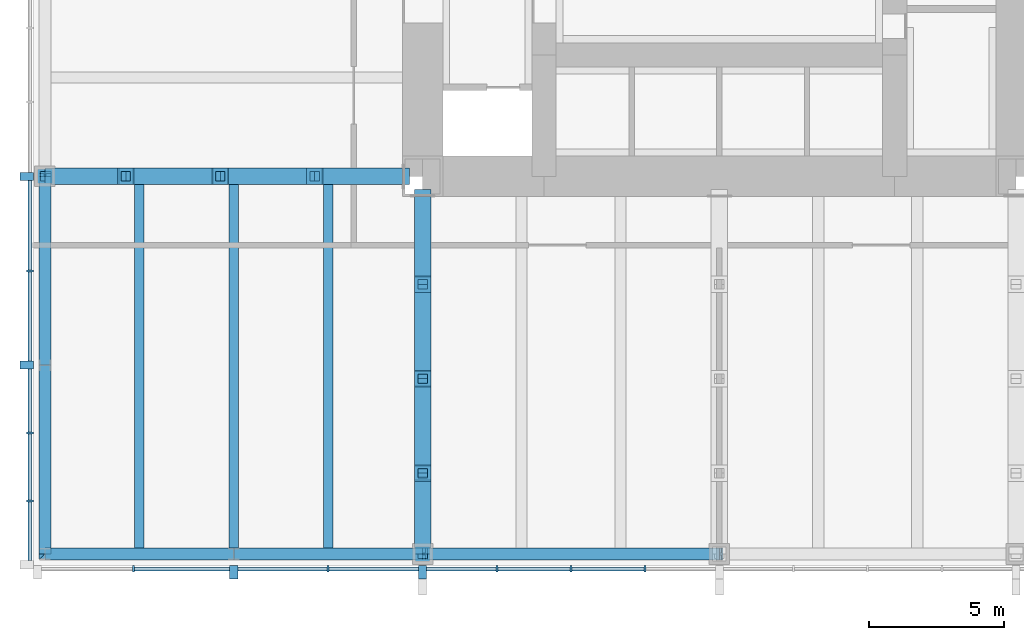
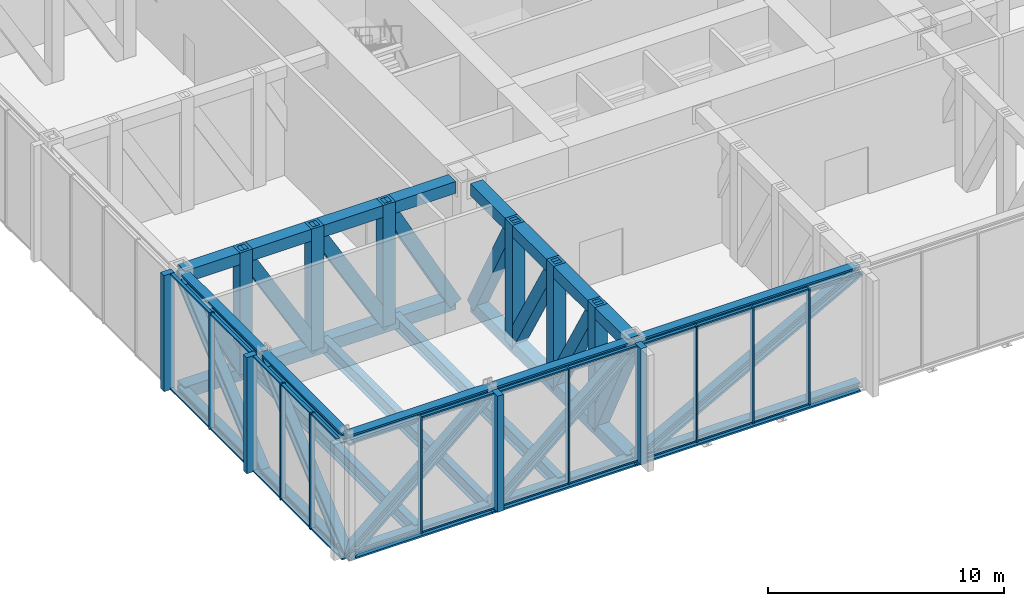
# One storey, part 2 of 13: 53 members, 23 beams, 2 elements without a shape of their own.
"""IFC4 building model written with IfcOpenShell, lengths in metres."""

from ifc_helpers import new_model, si_unit, direction, frame, origin, origin_2d, place, context, subcontext, project, spatial, rectangle, hollow_rectangle, i_section, extrude, material, material_profile, profile_set, type_object, element, aggregate, save


model = new_model("IFC4")

# Units and contexts
model_context = context("Model", 3, precision=1e-05, world=origin(), true_north=direction((0.0, 1.0)))
body_context = subcontext(model_context, "Body", "Model", "MODEL_VIEW")
ifc_project = project(units=[si_unit("LENGTHUNIT", "METRE"), si_unit("AREAUNIT", "SQUARE_METRE"), si_unit("VOLUMEUNIT", "CUBIC_METRE"), si_unit("PLANEANGLEUNIT", "RADIAN"), si_unit("MASSUNIT", "GRAM", prefix="KILO")], contexts=[model_context])

# Site, building, storey
site_placement = place(None, origin())
site = spatial("IfcSite", under=ifc_project, at=site_placement, CompositionType="ELEMENT")
building_placement = place(site_placement, origin())
building = spatial("IfcBuilding", under=site, at=building_placement, Name="Trevanion Tower", CompositionType="ELEMENT")
storey_placement = place(building_placement, frame((0.0, 0.0, 89.800048828125)))
storey = spatial("IfcBuildingStorey", under=building, at=storey_placement, Name="L21", CompositionType="ELEMENT", Elevation=89.800048828125)

# Beams
ifc_material_1 = material(Name="Steel ASTM A992 Grade 50", Category="steel")
ifc_material_profile_1 = material_profile(ifc_material_1, i_section(OverallWidth=0.355712890625, OverallDepth=0.696044921875, WebThickness=0.015380859375, FlangeThickness=0.024658203125, at=origin_2d()), Name="W27X146")
ifc_profile_set_1 = profile_set([ifc_material_profile_1], Name="Steel ASTM A992 Grade 50")
beam_type_1 = type_object("IfcBeamType", Name="B6 W27X146", PredefinedType="BEAM", material=ifc_profile_set_1)
for number, where, z_axis, x_axis, name in (
    (1, (-14.5, -11.0, -0.5380859375), (0.0, -1.0, 0.0), (1.0, 0.0, 0.0), "B6 L21"),
    (2, (-18.0, -11.0, -0.5380859375), (0.0, -1.0, 0.0), (1.0, 0.0, 0.0), "B6 L21"),
    (3, (-21.5, -11.0, -0.5380859375), (0.0, -1.0, 0.0), (1.0, 0.0, 0.0), "B6 L21"),
):
    element("IfcBeam", number, at=place(storey_placement, frame(where, z_axis=z_axis, x_axis=x_axis)), inside=storey, type_object=beam_type_1, Name=name, PredefinedType="BEAM", context=body_context, shape_type="SweptSolid", body=[
        extrude(i_section(OverallWidth=0.355712890625, OverallDepth=0.696044921875, WebThickness=0.015380859375, FlangeThickness=0.024658203125, at=origin_2d()), origin(), (0.0, 0.0, 1.0), 14.0),
    ])
ifc_material_2 = material(Name="Steel ASTM A992 Grade 50", Category="steel")
ifc_material_profile_2 = material_profile(ifc_material_2, i_section(OverallWidth=0.431884765625, OverallDepth=0.497802734375, WebThickness=0.0556640625, FlangeThickness=0.0888671875, at=origin_2d()), Name="W14X500")
ifc_profile_set_2 = profile_set([ifc_material_profile_2], Name="Steel ASTM A992 Grade 50")
beam_type_2 = type_object("IfcBeamType", Name="BT1-CH W14X500", PredefinedType="BEAM", material=ifc_profile_set_2)
for number, where, z_axis, x_axis, name in (
    (4, (-25.0, -11.0, -0.494873046875), (0.0, -1.0, 0.0), (1.0, 0.0, 0.0), "BT1 belt truss chord"),
    (5, (-25.0, -11.0, 5.505126953125), (0.0, -1.0, 0.0), (1.0, 0.0, 0.0), "BT1 belt truss chord"),
    (6, (-25.0, -18.0, -0.494873046875), (0.0, -1.0, 0.0), (1.0, 0.0, 0.0), "BT1 belt truss chord"),
    (7, (-25.0, -18.0, 5.505126953125), (0.0, -1.0, 0.0), (1.0, 0.0, 0.0), "BT1 belt truss chord"),
    (8, (-25.0, -25.0, -0.494873046875), (1.0, 0.0, 0.0), (0.0, 1.0, 0.0), "BT1 belt truss chord"),
    (9, (-25.0, -25.0, 5.505126953125), (1.0, 0.0, 0.0), (0.0, 1.0, 0.0), "BT1 belt truss chord"),
    (10, (-18.0, -25.0, -0.494873046875), (1.0, 0.0, 0.0), (0.0, 1.0, 0.0), "BT1 belt truss chord"),
    (11, (-18.0, -25.0, 5.505126953125), (1.0, 0.0, 0.0), (0.0, 1.0, 0.0), "BT1 belt truss chord"),
):
    element("IfcBeam", number, at=place(storey_placement, frame(where, z_axis=z_axis, x_axis=x_axis)), inside=storey, type_object=beam_type_2, Name=name, PredefinedType="BEAM", context=body_context, shape_type="SweptSolid", body=[
        extrude(i_section(OverallWidth=0.431884765625, OverallDepth=0.497802734375, WebThickness=0.0556640625, FlangeThickness=0.0888671875, at=origin_2d()), origin(), (0.0, 0.0, 1.0), 7.0),
    ])
for number, where, z_axis, x_axis, name in (
    (12, (-11.0, -25.0, -0.494873046875), (1.0, 0.0, 0.0), (0.0, 1.0, 0.0), "BT1 belt truss chord"),
    (13, (-11.0, -25.0, 5.505126953125), (1.0, 0.0, 0.0), (0.0, 1.0, 0.0), "BT1 belt truss chord"),
):
    element("IfcBeam", number, at=place(storey_placement, frame(where, z_axis=z_axis, x_axis=x_axis)), inside=storey, type_object=beam_type_2, Name=name, PredefinedType="BEAM", context=body_context, shape_type="SweptSolid", body=[
        extrude(i_section(OverallWidth=0.431884765625, OverallDepth=0.497802734375, WebThickness=0.0556640625, FlangeThickness=0.0888671875, at=origin_2d()), origin(), (0.0, 0.0, 1.0), 11.0),
    ])

# Members
ifc_material_3 = material(Name="Steel ASTM A992 Grade 50", Category="steel")
ifc_material_profile_3 = material_profile(ifc_material_3, i_section(OverallWidth=0.449462890625, OverallDepth=0.548583984375, WebThickness=0.07177734375, FlangeThickness=0.11474609375, at=origin_2d()), Name="W14X665")
ifc_profile_set_3 = profile_set([ifc_material_profile_3], Name="Steel ASTM A992 Grade 50")
member_type_1 = type_object("IfcMemberType", Name="BT1-D W14X665", PredefinedType="BRACE", material=ifc_profile_set_3)
for number, where, z_axis, x_axis, name in (
    (14, (-25.0, -18.0, -0.494873046875), (0.0, 0.759256602365, 0.650791373456), (-1.0, 0.0, 0.0), "BT1 belt truss diagonal"),
    (15, (-25.0, -25.0, -0.494873046875), (0.0, 0.759256602365, 0.650791373456), (-1.0, 0.0, 0.0), "BT1 belt truss diagonal"),
    (16, (-25.0, -25.0, -0.494873046875), (0.759256602365, 0.0, 0.650791373456), (0.0, 1.0, 0.0), "BT1 belt truss diagonal"),
    (17, (-18.0, -25.0, -0.494873046875), (0.759256602365, 0.0, 0.650791373456), (0.0, 1.0, 0.0), "BT1 belt truss diagonal"),
):
    element("IfcMember", number, at=place(storey_placement, frame(where, z_axis=z_axis, x_axis=x_axis)), inside=storey, type_object=member_type_1, Name=name, PredefinedType="BRACE", context=body_context, shape_type="SweptSolid", body=[
        extrude(i_section(OverallWidth=0.449462890625, OverallDepth=0.548583984375, WebThickness=0.07177734375, FlangeThickness=0.11474609375, at=origin_2d()), origin(), (0.0, 0.0, 1.0), 9.219482421875),
    ])
member_1_placement = place(storey_placement, frame((-11.0, -25.0, -0.494873046875), z_axis=(0.877895572914, 0.0, 0.478852130681), x_axis=(0.0, 1.0, 0.0)))
element("IfcMember", 18, at=member_1_placement, inside=storey, type_object=member_type_1, Name="BT1 belt truss diagonal", PredefinedType="BRACE", context=body_context, shape_type="SweptSolid", body=[
    extrude(i_section(OverallWidth=0.449462890625, OverallDepth=0.548583984375, WebThickness=0.07177734375, FlangeThickness=0.11474609375, at=origin_2d()), origin(), (0.0, 0.0, 1.0), 12.530029296875),
])

# Curtain wall, members
ifc_material_4 = material(Name="Aluminium louvres", Category="aluminium")
curtain_wall_type = type_object("IfcCurtainWallType", Name="CWL curtain wall", PredefinedType="USERDEFINED", material=ifc_material_4)
curtain_wall_1_placement = place(storey_placement, origin())
curtain_wall_1 = element("IfcCurtainWall", 19, at=curtain_wall_1_placement, inside=storey, type_object=curtain_wall_type, Name="CWL L21 2", ObjectType="LOUVRE SCREEN", PredefinedType="USERDEFINED")
ifc_material_5 = material(Name="Aluminium extrusion, anodised bronze", Category="aluminium")
ifc_material_profile_4 = material_profile(ifc_material_5, rectangle(XDim=0.074951171875, YDim=0.25, at=origin_2d()), Name="CWL mullion")
ifc_profile_set_4 = profile_set([ifc_material_profile_4], Name="Aluminium extrusion, anodised bronze")
member_type_2 = type_object("IfcMemberType", Name="CWL mullion", PredefinedType="MULLION", material=ifc_profile_set_4)
member_2_placement = place(storey_placement, frame((-25.550048828125, -14.5, -0.18994140625), z_axis=(0.0, 0.0, 1.0), x_axis=(0.0, -1.0, 0.0)))
member_2 = element("IfcMember", 20, at=member_2_placement, type_object=member_type_2, Name="CWL mullion 14", PredefinedType="MULLION", context=body_context, shape_type="SweptSolid", body=[
    extrude(rectangle(XDim=0.074951171875, YDim=0.25, at=origin_2d()), origin(), (0.0, 0.0, 1.0), 6.0),
])
member_3_placement = place(storey_placement, frame((-25.550048828125, -20.5166015625, -0.18994140625), z_axis=(0.0, 0.0, 1.0), x_axis=(0.0, -1.0, 0.0)))
member_3 = element("IfcMember", 21, at=member_3_placement, type_object=member_type_2, Name="CWL mullion 16", PredefinedType="MULLION", context=body_context, shape_type="SweptSolid", body=[
    extrude(rectangle(XDim=0.074951171875, YDim=0.25, at=origin_2d()), origin(), (0.0, 0.0, 1.0), 6.0),
])
member_4_placement = place(storey_placement, frame((-25.550048828125, -23.033203125, -0.18994140625), z_axis=(0.0, 0.0, 1.0), x_axis=(0.0, -1.0, 0.0)))
member_4 = element("IfcMember", 22, at=member_4_placement, type_object=member_type_2, Name="CWL mullion 17", PredefinedType="MULLION", context=body_context, shape_type="SweptSolid", body=[
    extrude(rectangle(XDim=0.074951171875, YDim=0.25, at=origin_2d()), origin(), (0.0, 0.0, 1.0), 6.0),
])

curtain_wall_2_placement = place(storey_placement, origin())
curtain_wall_2 = element("IfcCurtainWall", 23, at=curtain_wall_2_placement, inside=storey, type_object=curtain_wall_type, Name="CWL L21 3", ObjectType="LOUVRE SCREEN", PredefinedType="USERDEFINED")
member_5_placement = place(storey_placement, frame((-21.7099609375, -25.550048828125, -0.18994140625), z_axis=(0.0, 0.0, 1.0), x_axis=(1.0, 0.0, 0.0)))
member_5 = element("IfcMember", 24, at=member_5_placement, type_object=member_type_2, Name="CWL mullion 2", PredefinedType="MULLION", context=body_context, shape_type="SweptSolid", body=[
    extrude(rectangle(XDim=0.074951171875, YDim=0.25, at=origin_2d()), origin(), (0.0, 0.0, 1.0), 6.0),
])
member_6_placement = place(storey_placement, frame((-14.5, -25.550048828125, -0.18994140625), z_axis=(0.0, 0.0, 1.0), x_axis=(1.0, 0.0, 0.0)))
member_6 = element("IfcMember", 25, at=member_6_placement, type_object=member_type_2, Name="CWL mullion 4", PredefinedType="MULLION", context=body_context, shape_type="SweptSolid", body=[
    extrude(rectangle(XDim=0.074951171875, YDim=0.25, at=origin_2d()), origin(), (0.0, 0.0, 1.0), 6.0),
])
member_7_placement = place(storey_placement, frame((-8.25, -25.550048828125, -0.18994140625), z_axis=(0.0, 0.0, 1.0), x_axis=(1.0, 0.0, 0.0)))
member_7 = element("IfcMember", 26, at=member_7_placement, type_object=member_type_2, Name="CWL mullion 6", PredefinedType="MULLION", context=body_context, shape_type="SweptSolid", body=[
    extrude(rectangle(XDim=0.074951171875, YDim=0.25, at=origin_2d()), origin(), (0.0, 0.0, 1.0), 6.0),
])
member_8_placement = place(storey_placement, frame((-5.5, -25.550048828125, -0.18994140625), z_axis=(0.0, 0.0, 1.0), x_axis=(1.0, 0.0, 0.0)))
member_8 = element("IfcMember", 27, at=member_8_placement, type_object=member_type_2, Name="CWL mullion 7", PredefinedType="MULLION", context=body_context, shape_type="SweptSolid", body=[
    extrude(rectangle(XDim=0.074951171875, YDim=0.25, at=origin_2d()), origin(), (0.0, 0.0, 1.0), 6.0),
])
member_9_placement = place(storey_placement, frame((-2.75, -25.550048828125, -0.18994140625), z_axis=(0.0, 0.0, 1.0), x_axis=(1.0, 0.0, 0.0)))
member_9 = element("IfcMember", 28, at=member_9_placement, type_object=member_type_2, Name="CWL mullion 8", PredefinedType="MULLION", context=body_context, shape_type="SweptSolid", body=[
    extrude(rectangle(XDim=0.074951171875, YDim=0.25, at=origin_2d()), origin(), (0.0, 0.0, 1.0), 6.0),
])

# Member
ifc_material_6 = material(Name="Aluminium extrusion, anodised bronze", Category="aluminium")
ifc_material_profile_5 = material_profile(ifc_material_6, rectangle(XDim=0.300048828125, YDim=0.5, at=origin_2d()), Name="CWL pier mullion")
ifc_profile_set_5 = profile_set([ifc_material_profile_5], Name="Aluminium extrusion, anodised bronze")
member_type_3 = type_object("IfcMemberType", Name="CWL pier mullion", PredefinedType="MULLION", material=ifc_profile_set_5)
member_10_placement = place(storey_placement, frame((-25.675048828125, -11.0, -0.18994140625), z_axis=(0.0, 0.0, 1.0), x_axis=(0.0, -1.0, 0.0)))
member_10 = element("IfcMember", 29, at=member_10_placement, type_object=member_type_3, Name="CWL pier mullion 13", PredefinedType="MULLION", context=body_context, shape_type="SweptSolid", body=[
    extrude(rectangle(XDim=0.300048828125, YDim=0.5, at=origin_2d()), origin(), (0.0, 0.0, 1.0), 6.0),
])

member_11_placement = place(storey_placement, frame((-25.675048828125, -18.0, -0.18994140625), z_axis=(0.0, 0.0, 1.0), x_axis=(0.0, -1.0, 0.0)))
member_11 = element("IfcMember", 30, at=member_11_placement, type_object=member_type_3, Name="CWL pier mullion 15", PredefinedType="MULLION", context=body_context, shape_type="SweptSolid", body=[
    extrude(rectangle(XDim=0.300048828125, YDim=0.5, at=origin_2d()), origin(), (0.0, 0.0, 1.0), 6.0),
])

member_12_placement = place(storey_placement, frame((-18.0, -25.675048828125, -0.18994140625), z_axis=(0.0, 0.0, 1.0), x_axis=(1.0, 0.0, 0.0)))
member_12 = element("IfcMember", 31, at=member_12_placement, type_object=member_type_3, Name="CWL pier mullion 3", PredefinedType="MULLION", context=body_context, shape_type="SweptSolid", body=[
    extrude(rectangle(XDim=0.300048828125, YDim=0.5, at=origin_2d()), origin(), (0.0, 0.0, 1.0), 6.0),
])

member_13_placement = place(storey_placement, frame((-11.0, -25.675048828125, -0.18994140625), z_axis=(0.0, 0.0, 1.0), x_axis=(1.0, 0.0, 0.0)))
member_13 = element("IfcMember", 32, at=member_13_placement, type_object=member_type_3, Name="CWL pier mullion 5", PredefinedType="MULLION", context=body_context, shape_type="SweptSolid", body=[
    extrude(rectangle(XDim=0.300048828125, YDim=0.5, at=origin_2d()), origin(), (0.0, 0.0, 1.0), 6.0),
])

ifc_material_7 = material(Name="Aluminium extrusion, anodised bronze", Category="aluminium")
ifc_material_profile_6 = material_profile(ifc_material_7, rectangle(XDim=0.14990234375, YDim=0.074951171875, at=origin_2d()), Name="CWL transom")
ifc_profile_set_6 = profile_set([ifc_material_profile_6], Name="Aluminium extrusion, anodised bronze")
member_type_4 = type_object("IfcMemberType", Name="CWL transom", PredefinedType="USERDEFINED", material=ifc_profile_set_6)
member_14_placement = place(storey_placement, frame((-25.550048828125, -11.14990234375, -0.152587890625), z_axis=(0.0, -1.0, 0.0), x_axis=(1.0, 0.0, 0.0)))
member_14 = element("IfcMember", 33, at=member_14_placement, type_object=member_type_4, Name="CWL transom 13.1", ObjectType="TRANSOM", PredefinedType="USERDEFINED", context=body_context, shape_type="SweptSolid", body=[
    extrude(rectangle(XDim=0.14990234375, YDim=0.074951171875, at=origin_2d()), origin(), (0.0, 0.0, 1.0), 3.3125),
])

member_15_placement = place(storey_placement, frame((-25.550048828125, -11.14990234375, 5.7724609375), z_axis=(0.0, -1.0, 0.0), x_axis=(1.0, 0.0, 0.0)))
member_15 = element("IfcMember", 34, at=member_15_placement, type_object=member_type_4, Name="CWL transom 13.2", ObjectType="TRANSOM", PredefinedType="USERDEFINED", context=body_context, shape_type="SweptSolid", body=[
    extrude(rectangle(XDim=0.14990234375, YDim=0.074951171875, at=origin_2d()), origin(), (0.0, 0.0, 1.0), 3.3125),
])

member_16_placement = place(storey_placement, frame((-25.550048828125, -14.53759765625, -0.152587890625), z_axis=(0.0, -1.0, 0.0), x_axis=(1.0, 0.0, 0.0)))
member_16 = element("IfcMember", 35, at=member_16_placement, type_object=member_type_4, Name="CWL transom 14.1", ObjectType="TRANSOM", PredefinedType="USERDEFINED", context=body_context, shape_type="SweptSolid", body=[
    extrude(rectangle(XDim=0.14990234375, YDim=0.074951171875, at=origin_2d()), origin(), (0.0, 0.0, 1.0), 3.3125),
])

member_17_placement = place(storey_placement, frame((-25.550048828125, -14.53759765625, 5.7724609375), z_axis=(0.0, -1.0, 0.0), x_axis=(1.0, 0.0, 0.0)))
member_17 = element("IfcMember", 36, at=member_17_placement, type_object=member_type_4, Name="CWL transom 14.2", ObjectType="TRANSOM", PredefinedType="USERDEFINED", context=body_context, shape_type="SweptSolid", body=[
    extrude(rectangle(XDim=0.14990234375, YDim=0.074951171875, at=origin_2d()), origin(), (0.0, 0.0, 1.0), 3.3125),
])

member_18_placement = place(storey_placement, frame((-25.550048828125, -18.14990234375, -0.152587890625), z_axis=(0.0, -1.0, 0.0), x_axis=(1.0, 0.0, 0.0)))
member_18 = element("IfcMember", 37, at=member_18_placement, type_object=member_type_4, Name="CWL transom 15.1", ObjectType="TRANSOM", PredefinedType="USERDEFINED", context=body_context, shape_type="SweptSolid", body=[
    extrude(rectangle(XDim=0.14990234375, YDim=0.074951171875, at=origin_2d()), origin(), (0.0, 0.0, 1.0), 2.329345703125),
])

member_19_placement = place(storey_placement, frame((-25.550048828125, -18.14990234375, 5.7724609375), z_axis=(0.0, -1.0, 0.0), x_axis=(1.0, 0.0, 0.0)))
member_19 = element("IfcMember", 38, at=member_19_placement, type_object=member_type_4, Name="CWL transom 15.2", ObjectType="TRANSOM", PredefinedType="USERDEFINED", context=body_context, shape_type="SweptSolid", body=[
    extrude(rectangle(XDim=0.14990234375, YDim=0.074951171875, at=origin_2d()), origin(), (0.0, 0.0, 1.0), 2.329345703125),
])

member_20_placement = place(storey_placement, frame((-25.550048828125, -20.55419921875, -0.152587890625), z_axis=(0.0, -1.0, 0.0), x_axis=(1.0, 0.0, 0.0)))
member_20 = element("IfcMember", 39, at=member_20_placement, type_object=member_type_4, Name="CWL transom 16.1", ObjectType="TRANSOM", PredefinedType="USERDEFINED", context=body_context, shape_type="SweptSolid", body=[
    extrude(rectangle(XDim=0.14990234375, YDim=0.074951171875, at=origin_2d()), origin(), (0.0, 0.0, 1.0), 2.441650390625),
])

member_21_placement = place(storey_placement, frame((-25.550048828125, -20.55419921875, 5.7724609375), z_axis=(0.0, -1.0, 0.0), x_axis=(1.0, 0.0, 0.0)))
member_21 = element("IfcMember", 40, at=member_21_placement, type_object=member_type_4, Name="CWL transom 16.2", ObjectType="TRANSOM", PredefinedType="USERDEFINED", context=body_context, shape_type="SweptSolid", body=[
    extrude(rectangle(XDim=0.14990234375, YDim=0.074951171875, at=origin_2d()), origin(), (0.0, 0.0, 1.0), 2.441650390625),
])

member_22_placement = place(storey_placement, frame((-25.550048828125, -23.07080078125, -0.152587890625), z_axis=(0.0, -1.0, 0.0), x_axis=(1.0, 0.0, 0.0)))
member_22 = element("IfcMember", 41, at=member_22_placement, type_object=member_type_4, Name="CWL transom 17.1", ObjectType="TRANSOM", PredefinedType="USERDEFINED", context=body_context, shape_type="SweptSolid", body=[
    extrude(rectangle(XDim=0.14990234375, YDim=0.074951171875, at=origin_2d()), origin(), (0.0, 0.0, 1.0), 2.17919921875),
])

member_23_placement = place(storey_placement, frame((-25.550048828125, -23.07080078125, 5.7724609375), z_axis=(0.0, -1.0, 0.0), x_axis=(1.0, 0.0, 0.0)))
member_23 = element("IfcMember", 42, at=member_23_placement, type_object=member_type_4, Name="CWL transom 17.2", ObjectType="TRANSOM", PredefinedType="USERDEFINED", context=body_context, shape_type="SweptSolid", body=[
    extrude(rectangle(XDim=0.14990234375, YDim=0.074951171875, at=origin_2d()), origin(), (0.0, 0.0, 1.0), 2.17919921875),
])

aggregate(curtain_wall_1, [member_10, member_2, member_11, member_3, member_4, member_14, member_15, member_16, member_17, member_18, member_19, member_20, member_21, member_22, member_23])

member_24_placement = place(storey_placement, frame((-21.672607421875, -25.550048828125, -0.152587890625), z_axis=(1.0, 0.0, 0.0), x_axis=(0.0, 1.0, 0.0)))
member_24 = element("IfcMember", 43, at=member_24_placement, type_object=member_type_4, Name="CWL transom 2.1", ObjectType="TRANSOM", PredefinedType="USERDEFINED", context=body_context, shape_type="SweptSolid", body=[
    extrude(rectangle(XDim=0.14990234375, YDim=0.074951171875, at=origin_2d()), origin(), (0.0, 0.0, 1.0), 3.522705078125),
])

member_25_placement = place(storey_placement, frame((-21.672607421875, -25.550048828125, 5.7724609375), z_axis=(1.0, 0.0, 0.0), x_axis=(0.0, 1.0, 0.0)))
member_25 = element("IfcMember", 44, at=member_25_placement, type_object=member_type_4, Name="CWL transom 2.2", ObjectType="TRANSOM", PredefinedType="USERDEFINED", context=body_context, shape_type="SweptSolid", body=[
    extrude(rectangle(XDim=0.14990234375, YDim=0.074951171875, at=origin_2d()), origin(), (0.0, 0.0, 1.0), 3.522705078125),
])

member_26_placement = place(storey_placement, frame((-17.85009765625, -25.550048828125, -0.152587890625), z_axis=(1.0, 0.0, 0.0), x_axis=(0.0, 1.0, 0.0)))
member_26 = element("IfcMember", 45, at=member_26_placement, type_object=member_type_4, Name="CWL transom 3.1", ObjectType="TRANSOM", PredefinedType="USERDEFINED", context=body_context, shape_type="SweptSolid", body=[
    extrude(rectangle(XDim=0.14990234375, YDim=0.074951171875, at=origin_2d()), origin(), (0.0, 0.0, 1.0), 3.3125),
])

member_27_placement = place(storey_placement, frame((-17.85009765625, -25.550048828125, 5.7724609375), z_axis=(1.0, 0.0, 0.0), x_axis=(0.0, 1.0, 0.0)))
member_27 = element("IfcMember", 46, at=member_27_placement, type_object=member_type_4, Name="CWL transom 3.2", ObjectType="TRANSOM", PredefinedType="USERDEFINED", context=body_context, shape_type="SweptSolid", body=[
    extrude(rectangle(XDim=0.14990234375, YDim=0.074951171875, at=origin_2d()), origin(), (0.0, 0.0, 1.0), 3.3125),
])

member_28_placement = place(storey_placement, frame((-14.46240234375, -25.550048828125, -0.152587890625), z_axis=(1.0, 0.0, 0.0), x_axis=(0.0, 1.0, 0.0)))
member_28 = element("IfcMember", 47, at=member_28_placement, type_object=member_type_4, Name="CWL transom 4.1", ObjectType="TRANSOM", PredefinedType="USERDEFINED", context=body_context, shape_type="SweptSolid", body=[
    extrude(rectangle(XDim=0.14990234375, YDim=0.074951171875, at=origin_2d()), origin(), (0.0, 0.0, 1.0), 3.3125),
])

member_29_placement = place(storey_placement, frame((-14.46240234375, -25.550048828125, 5.7724609375), z_axis=(1.0, 0.0, 0.0), x_axis=(0.0, 1.0, 0.0)))
member_29 = element("IfcMember", 48, at=member_29_placement, type_object=member_type_4, Name="CWL transom 4.2", ObjectType="TRANSOM", PredefinedType="USERDEFINED", context=body_context, shape_type="SweptSolid", body=[
    extrude(rectangle(XDim=0.14990234375, YDim=0.074951171875, at=origin_2d()), origin(), (0.0, 0.0, 1.0), 3.3125),
])

member_30_placement = place(storey_placement, frame((-10.85009765625, -25.550048828125, -0.152587890625), z_axis=(1.0, 0.0, 0.0), x_axis=(0.0, 1.0, 0.0)))
member_30 = element("IfcMember", 49, at=member_30_placement, type_object=member_type_4, Name="CWL transom 5.1", ObjectType="TRANSOM", PredefinedType="USERDEFINED", context=body_context, shape_type="SweptSolid", body=[
    extrude(rectangle(XDim=0.14990234375, YDim=0.074951171875, at=origin_2d()), origin(), (0.0, 0.0, 1.0), 2.5625),
])

member_31_placement = place(storey_placement, frame((-10.85009765625, -25.550048828125, 5.7724609375), z_axis=(1.0, 0.0, 0.0), x_axis=(0.0, 1.0, 0.0)))
member_31 = element("IfcMember", 50, at=member_31_placement, type_object=member_type_4, Name="CWL transom 5.2", ObjectType="TRANSOM", PredefinedType="USERDEFINED", context=body_context, shape_type="SweptSolid", body=[
    extrude(rectangle(XDim=0.14990234375, YDim=0.074951171875, at=origin_2d()), origin(), (0.0, 0.0, 1.0), 2.5625),
])

member_32_placement = place(storey_placement, frame((-8.21240234375, -25.550048828125, -0.152587890625), z_axis=(1.0, 0.0, 0.0), x_axis=(0.0, 1.0, 0.0)))
member_32 = element("IfcMember", 51, at=member_32_placement, type_object=member_type_4, Name="CWL transom 6.1", ObjectType="TRANSOM", PredefinedType="USERDEFINED", context=body_context, shape_type="SweptSolid", body=[
    extrude(rectangle(XDim=0.14990234375, YDim=0.074951171875, at=origin_2d()), origin(), (0.0, 0.0, 1.0), 2.6748046875),
])

member_33_placement = place(storey_placement, frame((-8.21240234375, -25.550048828125, 5.7724609375), z_axis=(1.0, 0.0, 0.0), x_axis=(0.0, 1.0, 0.0)))
member_33 = element("IfcMember", 52, at=member_33_placement, type_object=member_type_4, Name="CWL transom 6.2", ObjectType="TRANSOM", PredefinedType="USERDEFINED", context=body_context, shape_type="SweptSolid", body=[
    extrude(rectangle(XDim=0.14990234375, YDim=0.074951171875, at=origin_2d()), origin(), (0.0, 0.0, 1.0), 2.6748046875),
])

member_34_placement = place(storey_placement, frame((-5.46240234375, -25.550048828125, -0.152587890625), z_axis=(1.0, 0.0, 0.0), x_axis=(0.0, 1.0, 0.0)))
member_34 = element("IfcMember", 53, at=member_34_placement, type_object=member_type_4, Name="CWL transom 7.1", ObjectType="TRANSOM", PredefinedType="USERDEFINED", context=body_context, shape_type="SweptSolid", body=[
    extrude(rectangle(XDim=0.14990234375, YDim=0.074951171875, at=origin_2d()), origin(), (0.0, 0.0, 1.0), 2.6748046875),
])

member_35_placement = place(storey_placement, frame((-5.46240234375, -25.550048828125, 5.7724609375), z_axis=(1.0, 0.0, 0.0), x_axis=(0.0, 1.0, 0.0)))
member_35 = element("IfcMember", 54, at=member_35_placement, type_object=member_type_4, Name="CWL transom 7.2", ObjectType="TRANSOM", PredefinedType="USERDEFINED", context=body_context, shape_type="SweptSolid", body=[
    extrude(rectangle(XDim=0.14990234375, YDim=0.074951171875, at=origin_2d()), origin(), (0.0, 0.0, 1.0), 2.6748046875),
])

aggregate(curtain_wall_2, [member_5, member_12, member_6, member_13, member_7, member_8, member_9, member_24, member_25, member_26, member_27, member_28, member_29, member_30, member_31, member_32, member_33, member_34, member_35])

# Beams
ifc_material_8 = material(Name="Steel ASTM A588 Grade 50", Category="steel")
ifc_material_profile_7 = material_profile(ifc_material_8, hollow_rectangle(XDim=0.609619140625, YDim=0.609619140625, WallThickness=0.15234375, at=origin_2d()), Name="BOX24X24X6")
ifc_profile_set_7 = profile_set([ifc_material_profile_7], Name="Steel ASTM A588 Grade 50")
beam_type_3 = type_object("IfcBeamType", Name="OT1-CH BOX24X24X6", PredefinedType="BEAM", material=ifc_profile_set_7)
beam_1_placement = place(storey_placement, frame((-11.0, -11.75, -0.494873046875), z_axis=(0.0, -1.0, 0.0), x_axis=(1.0, 0.0, 0.0)))
element("IfcBeam", 55, at=beam_1_placement, inside=storey, type_object=beam_type_3, Name="OT1 8/A outrigger and transfer truss chord", PredefinedType="BEAM", context=body_context, shape_type="SweptSolid", body=[
    extrude(hollow_rectangle(XDim=0.609619140625, YDim=0.609619140625, WallThickness=0.15234375, at=origin_2d()), origin(), (0.0, 0.0, 1.0), 13.25),
])
beam_2_placement = place(storey_placement, frame((-11.0, -11.75, 5.505126953125), z_axis=(0.0, -1.0, 0.0), x_axis=(1.0, 0.0, 0.0)))
element("IfcBeam", 56, at=beam_2_placement, inside=storey, type_object=beam_type_3, Name="OT1 8/A outrigger and transfer truss chord", PredefinedType="BEAM", context=body_context, shape_type="SweptSolid", body=[
    extrude(hollow_rectangle(XDim=0.609619140625, YDim=0.609619140625, WallThickness=0.15234375, at=origin_2d()), origin(), (0.0, 0.0, 1.0), 3.25),
])
for number, where, z_axis, x_axis, name in (
    (57, (-11.0, -15.0, 5.505126953125), (0.0, -1.0, 0.0), (1.0, 0.0, 0.0), "OT1 8/A outrigger and transfer truss chord"),
    (58, (-11.0, -18.5, 5.505126953125), (0.0, -1.0, 0.0), (1.0, 0.0, 0.0), "OT1 8/A outrigger and transfer truss chord"),
):
    element("IfcBeam", number, at=place(storey_placement, frame(where, z_axis=z_axis, x_axis=x_axis)), inside=storey, type_object=beam_type_3, Name=name, PredefinedType="BEAM", context=body_context, shape_type="SweptSolid", body=[
        extrude(hollow_rectangle(XDim=0.609619140625, YDim=0.609619140625, WallThickness=0.15234375, at=origin_2d()), origin(), (0.0, 0.0, 1.0), 3.5),
    ])
beam_3_placement = place(storey_placement, frame((-11.0, -22.0, 5.505126953125), z_axis=(0.0, -1.0, 0.0), x_axis=(1.0, 0.0, 0.0)))
element("IfcBeam", 59, at=beam_3_placement, inside=storey, type_object=beam_type_3, Name="OT1 8/A outrigger and transfer truss chord", PredefinedType="BEAM", context=body_context, shape_type="SweptSolid", body=[
    extrude(hollow_rectangle(XDim=0.609619140625, YDim=0.609619140625, WallThickness=0.15234375, at=origin_2d()), origin(), (0.0, 0.0, 1.0), 3.0),
])
beam_4_placement = place(storey_placement, frame((-11.75, -11.0, -0.494873046875), z_axis=(-1.0, 0.0, 0.0), x_axis=(0.0, -1.0, 0.0)))
element("IfcBeam", 60, at=beam_4_placement, inside=storey, type_object=beam_type_3, Name="OT1 3/F outrigger and transfer truss chord", PredefinedType="BEAM", context=body_context, shape_type="SweptSolid", body=[
    extrude(hollow_rectangle(XDim=0.609619140625, YDim=0.609619140625, WallThickness=0.15234375, at=origin_2d()), origin(), (0.0, 0.0, 1.0), 13.25),
])
beam_5_placement = place(storey_placement, frame((-11.75, -11.0, 5.505126953125), z_axis=(-1.0, 0.0, 0.0), x_axis=(0.0, -1.0, 0.0)))
element("IfcBeam", 61, at=beam_5_placement, inside=storey, type_object=beam_type_3, Name="OT1 3/F outrigger and transfer truss chord", PredefinedType="BEAM", context=body_context, shape_type="SweptSolid", body=[
    extrude(hollow_rectangle(XDim=0.609619140625, YDim=0.609619140625, WallThickness=0.15234375, at=origin_2d()), origin(), (0.0, 0.0, 1.0), 3.25),
])
for number, where, z_axis, x_axis, name in (
    (62, (-15.0, -11.0, 5.505126953125), (-1.0, 0.0, 0.0), (0.0, -1.0, 0.0), "OT1 3/F outrigger and transfer truss chord"),
    (63, (-18.5, -11.0, 5.505126953125), (-1.0, 0.0, 0.0), (0.0, -1.0, 0.0), "OT1 3/F outrigger and transfer truss chord"),
):
    element("IfcBeam", number, at=place(storey_placement, frame(where, z_axis=z_axis, x_axis=x_axis)), inside=storey, type_object=beam_type_3, Name=name, PredefinedType="BEAM", context=body_context, shape_type="SweptSolid", body=[
        extrude(hollow_rectangle(XDim=0.609619140625, YDim=0.609619140625, WallThickness=0.15234375, at=origin_2d()), origin(), (0.0, 0.0, 1.0), 3.5),
    ])
beam_6_placement = place(storey_placement, frame((-22.0, -11.0, 5.505126953125), z_axis=(-1.0, 0.0, 0.0), x_axis=(0.0, -1.0, 0.0)))
element("IfcBeam", 64, at=beam_6_placement, inside=storey, type_object=beam_type_3, Name="OT1 3/F outrigger and transfer truss chord", PredefinedType="BEAM", context=body_context, shape_type="SweptSolid", body=[
    extrude(hollow_rectangle(XDim=0.609619140625, YDim=0.609619140625, WallThickness=0.15234375, at=origin_2d()), origin(), (0.0, 0.0, 1.0), 3.0),
])

# Members
ifc_material_9 = material(Name="Steel ASTM A588 Grade 50", Category="steel")
ifc_material_profile_8 = material_profile(ifc_material_9, hollow_rectangle(XDim=0.609619140625, YDim=0.609619140625, WallThickness=0.126953125, at=origin_2d()), Name="BOX24X24X5")
ifc_profile_set_8 = profile_set([ifc_material_profile_8], Name="Steel ASTM A588 Grade 50")
member_type_5 = type_object("IfcMemberType", Name="OT1-D BOX24X24X5", PredefinedType="BRACE", material=ifc_profile_set_8)
member_36_placement = place(storey_placement, frame((-11.0, -11.75, -0.494873046875), z_axis=(0.0, -0.476283148541, 0.879291966537), x_axis=(1.0, 0.0, 0.0)))
element("IfcMember", 65, at=member_36_placement, inside=storey, type_object=member_type_5, Name="OT1 8/A outrigger and transfer truss diagonal", PredefinedType="BRACE", context=body_context, shape_type="SweptSolid", body=[
    extrude(hollow_rectangle(XDim=0.609619140625, YDim=0.609619140625, WallThickness=0.126953125, at=origin_2d()), origin(), (0.0, 0.0, 1.0), 6.82373046875),
])
for number, where, z_axis, x_axis, name in (
    (66, (-11.0, -15.0, -0.494873046875), (0.0, -0.503871025524, 0.863778900898), (1.0, 0.0, 0.0), "OT1 8/A outrigger and transfer truss diagonal"),
    (67, (-11.0, -18.5, -0.494873046875), (0.0, -0.503871025524, 0.863778900898), (1.0, 0.0, 0.0), "OT1 8/A outrigger and transfer truss diagonal"),
):
    element("IfcMember", number, at=place(storey_placement, frame(where, z_axis=z_axis, x_axis=x_axis)), inside=storey, type_object=member_type_5, Name=name, PredefinedType="BRACE", context=body_context, shape_type="SweptSolid", body=[
        extrude(hollow_rectangle(XDim=0.609619140625, YDim=0.609619140625, WallThickness=0.126953125, at=origin_2d()), origin(), (0.0, 0.0, 1.0), 6.9462890625),
    ])
member_37_placement = place(storey_placement, frame((-11.0, -22.0, -0.494873046875), z_axis=(0.0, -0.4472135955, 0.894427191), x_axis=(1.0, 0.0, 0.0)))
element("IfcMember", 68, at=member_37_placement, inside=storey, type_object=member_type_5, Name="OT1 8/A outrigger and transfer truss diagonal", PredefinedType="BRACE", context=body_context, shape_type="SweptSolid", body=[
    extrude(hollow_rectangle(XDim=0.609619140625, YDim=0.609619140625, WallThickness=0.126953125, at=origin_2d()), origin(), (0.0, 0.0, 1.0), 6.708251953125),
])
member_38_placement = place(storey_placement, frame((-11.75, -11.0, -0.494873046875), z_axis=(-0.476283148541, 0.0, 0.879291966537), x_axis=(0.0, -1.0, 0.0)))
element("IfcMember", 69, at=member_38_placement, inside=storey, type_object=member_type_5, Name="OT1 3/F outrigger and transfer truss diagonal", PredefinedType="BRACE", context=body_context, shape_type="SweptSolid", body=[
    extrude(hollow_rectangle(XDim=0.609619140625, YDim=0.609619140625, WallThickness=0.126953125, at=origin_2d()), origin(), (0.0, 0.0, 1.0), 6.82373046875),
])
for number, where, z_axis, x_axis, name in (
    (70, (-15.0, -11.0, -0.494873046875), (-0.503871025524, 0.0, 0.863778900898), (0.0, -1.0, 0.0), "OT1 3/F outrigger and transfer truss diagonal"),
    (71, (-18.5, -11.0, -0.494873046875), (-0.503871025524, 0.0, 0.863778900898), (0.0, -1.0, 0.0), "OT1 3/F outrigger and transfer truss diagonal"),
):
    element("IfcMember", number, at=place(storey_placement, frame(where, z_axis=z_axis, x_axis=x_axis)), inside=storey, type_object=member_type_5, Name=name, PredefinedType="BRACE", context=body_context, shape_type="SweptSolid", body=[
        extrude(hollow_rectangle(XDim=0.609619140625, YDim=0.609619140625, WallThickness=0.126953125, at=origin_2d()), origin(), (0.0, 0.0, 1.0), 6.9462890625),
    ])
member_39_placement = place(storey_placement, frame((-22.0, -11.0, -0.494873046875), z_axis=(-0.4472135955, 0.0, 0.894427191), x_axis=(0.0, -1.0, 0.0)))
element("IfcMember", 72, at=member_39_placement, inside=storey, type_object=member_type_5, Name="OT1 3/F outrigger and transfer truss diagonal", PredefinedType="BRACE", context=body_context, shape_type="SweptSolid", body=[
    extrude(hollow_rectangle(XDim=0.609619140625, YDim=0.609619140625, WallThickness=0.126953125, at=origin_2d()), origin(), (0.0, 0.0, 1.0), 6.708251953125),
])
ifc_material_10 = material(Name="Steel ASTM A588 Grade 50", Category="steel")
ifc_material_profile_9 = material_profile(ifc_material_10, hollow_rectangle(XDim=0.609619140625, YDim=0.609619140625, WallThickness=0.126953125, at=origin_2d()), Name="BOX24X24X5")
ifc_profile_set_9 = profile_set([ifc_material_profile_9], Name="Steel ASTM A588 Grade 50")
member_type_6 = type_object("IfcMemberType", Name="OT1-V BOX24X24X5", PredefinedType="POST", material=ifc_profile_set_9)
for number, where, z_axis, x_axis, name in (
    (73, (-11.0, -15.0, -0.494873046875), (0.0, 0.0, 1.0), (1.0, 0.0, 0.0), "OT1 8/A outrigger and transfer truss vertical"),
    (74, (-11.0, -18.5, -0.494873046875), (0.0, 0.0, 1.0), (1.0, 0.0, 0.0), "OT1 8/A outrigger and transfer truss vertical"),
    (75, (-11.0, -22.0, -0.494873046875), (0.0, 0.0, 1.0), (1.0, 0.0, 0.0), "OT1 8/A outrigger and transfer truss vertical"),
    (76, (-15.0, -11.0, -0.494873046875), (0.0, 0.0, 1.0), (1.0, 0.0, 0.0), "OT1 3/F outrigger and transfer truss vertical"),
    (77, (-18.5, -11.0, -0.494873046875), (0.0, 0.0, 1.0), (1.0, 0.0, 0.0), "OT1 3/F outrigger and transfer truss vertical"),
    (78, (-22.0, -11.0, -0.494873046875), (0.0, 0.0, 1.0), (1.0, 0.0, 0.0), "OT1 3/F outrigger and transfer truss vertical"),
):
    element("IfcMember", number, at=place(storey_placement, frame(where, z_axis=z_axis, x_axis=x_axis)), inside=storey, type_object=member_type_6, Name=name, PredefinedType="POST", context=body_context, shape_type="SweptSolid", body=[
        extrude(hollow_rectangle(XDim=0.609619140625, YDim=0.609619140625, WallThickness=0.126953125, at=origin_2d()), origin(), (0.0, 0.0, 1.0), 6.304931640625),
    ])

save(model, "model.ifc")
